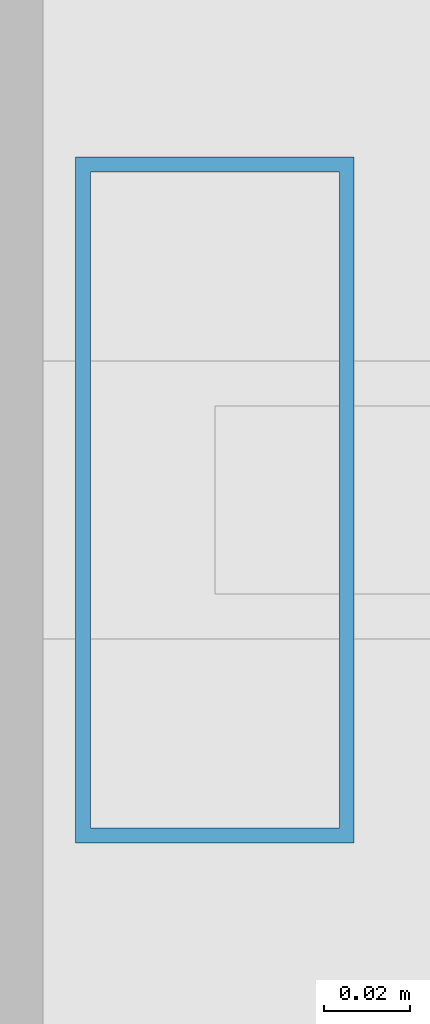
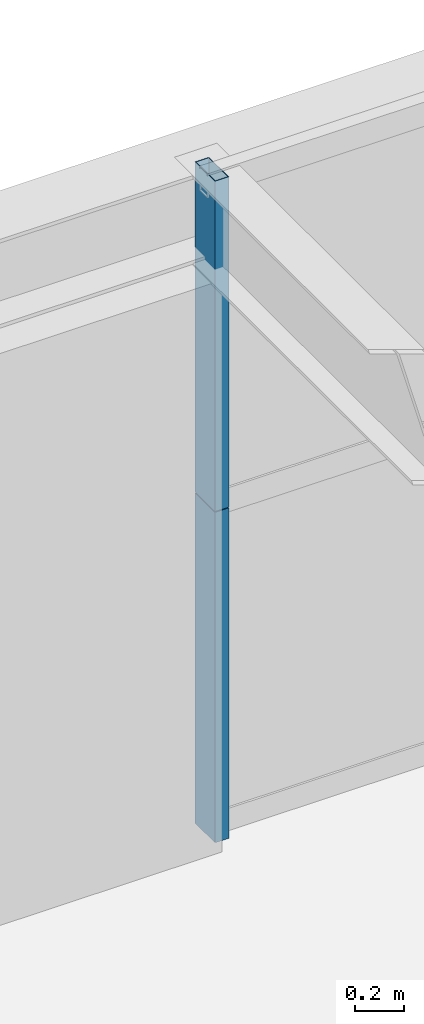
# One storey, part 23 of 35: 2 members, 1 element without a shape of its own.
"""IFC4 building model written with IfcOpenShell, lengths in metres."""

from ifc_helpers import new_model, si_unit, direction, frame, origin, origin_2d, place, context, subcontext, project, spatial, hollow_rectangle, extrude, source, transform, mapped, material, layer, layer_set, material_profile, profile_set, type_object, element, aggregate, save


model = new_model("IFC4")

# Units and contexts
model_context = context("Model", 3, precision=1e-05, world=origin(), true_north=direction((0.0, 1.0)))
body_context = subcontext(model_context, "Body", "Model", "MODEL_VIEW")
ifc_project = project(units=[si_unit("LENGTHUNIT", "METRE"), si_unit("AREAUNIT", "SQUARE_METRE"), si_unit("VOLUMEUNIT", "CUBIC_METRE"), si_unit("PLANEANGLEUNIT", "RADIAN"), si_unit("MASSUNIT", "GRAM", prefix="KILO"), si_unit("THERMODYNAMICTEMPERATUREUNIT", "KELVIN"), si_unit("POWERUNIT", "WATT")], contexts=[model_context])

# Site, building, storey
site_placement = place(None, origin())
site = spatial("IfcSite", under=ifc_project, at=site_placement, CompositionType="ELEMENT")
building_placement = place(site_placement, origin())
building = spatial("IfcBuilding", under=site, at=building_placement, Name="Yuzanri Waterfront Tower", CompositionType="ELEMENT")
storey_placement = place(building_placement, frame((0.0, 0.0, 271.60009765625)))
storey = spatial("IfcBuildingStorey", under=building, at=storey_placement, Name="L72", CompositionType="ELEMENT", Elevation=271.60009765625)

# Curtain wall, members
ifc_material_1 = material(Name="Anodized Architectural Bronze", Category="metal")
ifc_layer = layer(ifc_material_1, 0.159912109375)
ifc_layer_set = layer_set([ifc_layer], Name="Anodized Architectural Bronze")
curtain_wall_type = type_object("IfcCurtainWallType", Name="Anodized Bronze Mid-Rise Residential Acoustic Unitized Curtain Wall 7200", PredefinedType="NOTDEFINED", material=ifc_layer_set)
curtain_wall_placement = place(storey_placement, origin())
curtain_wall = element("IfcCurtainWall", 1, at=curtain_wall_placement, inside=storey, type_object=curtain_wall_type, Name="L72 Curtain Wall CW-L72-NL", PredefinedType="NOTDEFINED")
ifc_material_2 = material(Name="Anodized Architectural Bronze", Category="metal")
ifc_material_profile = material_profile(ifc_material_2, hollow_rectangle(XDim=0.06494140625, YDim=0.159912109375, WallThickness=0.00341796875, at=origin_2d()), Name="CWM 65x160")
ifc_profile_set = profile_set([ifc_material_profile], Name="Anodized Architectural Bronze")
member_type = type_object("IfcMemberType", Name="Anodized Bronze Upper-Zone Curtain-Wall Mullion 65x160", PredefinedType="MULLION", material=ifc_profile_set)
shared_shape = source(origin(), body_context, "Body", "SweptSolid", [
    extrude(hollow_rectangle(XDim=0.06494140625, YDim=0.159912109375, WallThickness=0.00341796875, at=origin_2d()), origin(), (0.0, 0.0, 1.0), 1.637939453125),
])
member_1_placement = place(storey_placement, frame((23.7900390625, 46.25, 0.0), z_axis=(0.0, 0.0, 1.0), x_axis=(1.0, 0.0, 0.0)))
member_1 = element("IfcMember", 2, at=member_1_placement, type_object=member_type, Name="CW-L72-NL Lower Mullion 00", PredefinedType="MULLION", context=body_context, shape_type="MappedRepresentation", body=[
    mapped(shared_shape, transform((0.0, 0.0, 0.0), scale=1.0)),
])
member_2_placement = place(storey_placement, frame((23.7900390625, 46.25, 1.641845703125), z_axis=(0.0, 0.0, 1.0), x_axis=(1.0, 0.0, 0.0)))
member_2 = element("IfcMember", 3, at=member_2_placement, type_object=member_type, Name="CW-L72-NL Upper Mullion 00", PredefinedType="MULLION", context=body_context, shape_type="MappedRepresentation", body=[
    mapped(shared_shape, transform((0.0, 0.0, 0.0), scale=1.0)),
])
aggregate(curtain_wall, [member_1, member_2])

save(model, "model.ifc")
